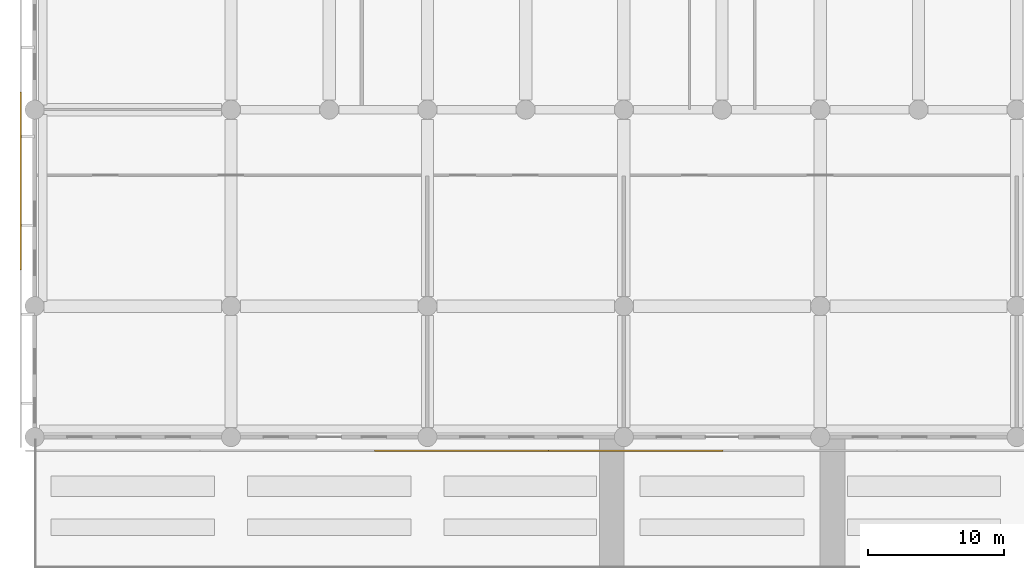
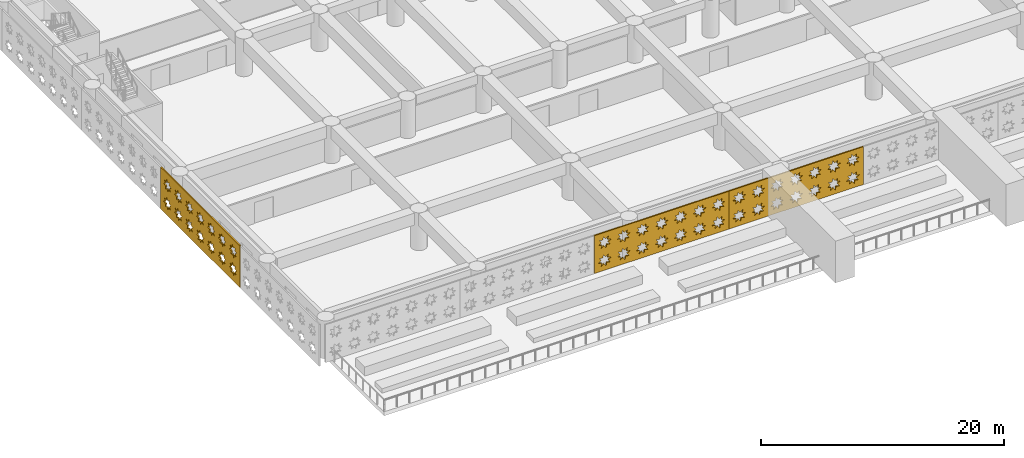
# One storey, part 13 of 24: 3 coverings.
"""IFC4 building model written with IfcOpenShell, lengths in metres."""

from ifc_helpers import new_model, si_unit, direction, frame, origin, place, context, subcontext, project, spatial, polyline, outline, extrude, material, layer, layer_set, type_object, element, save


model = new_model("IFC4")

# Units and contexts
model_context = context("Model", 3, precision=1e-05, world=origin(), true_north=direction((0.0, 1.0)))
body_context = subcontext(model_context, "Body", "Model", "MODEL_VIEW")
ifc_project = project(units=[si_unit("LENGTHUNIT", "METRE"), si_unit("AREAUNIT", "SQUARE_METRE"), si_unit("VOLUMEUNIT", "CUBIC_METRE"), si_unit("PLANEANGLEUNIT", "RADIAN"), si_unit("MASSUNIT", "GRAM", prefix="KILO")], contexts=[model_context])

# Site, building, storey
site_placement = place(None, origin())
site = spatial("IfcSite", under=ifc_project, at=site_placement, CompositionType="ELEMENT")
building_placement = place(site_placement, origin())
building = spatial("IfcBuilding", under=site, at=building_placement, Name="Saffron Iwan Residences", CompositionType="ELEMENT")
storey_placement = place(building_placement, frame((0.0, 0.0, 13.199951171875)))
storey = spatial("IfcBuildingStorey", under=building, at=storey_placement, Name="L02", CompositionType="ELEMENT", Elevation=13.199951171875)

# Coverings
ifc_material = material(Name="Terracotta screen, precast concrete C40/50", Category="masonry")
ifc_layer = layer(ifc_material, 0.1201171875)
ifc_layer_set = layer_set([ifc_layer], Name="Terracotta screen, precast concrete C40/50")
covering_type = type_object("IfcCoveringType", Name="PODIUM SCREEN GIRIH", PredefinedType="CLADDING", material=ifc_layer_set)
covering_1_placement = place(storey_placement, frame((24.905029296875, 8.64990234375, 0.0), z_axis=(0.0, -1.0, 0.0), x_axis=(1.0, 0.0, 0.0)))
element("IfcCovering", 1, at=covering_1_placement, inside=storey, type_object=covering_type, Name="SCREEN girih terracotta L02 F0.2", PredefinedType="CLADDING", context=body_context, shape_type="SweptSolid", body=[
    extrude(outline(polyline([(0.0, 0.0), (12.777587890625, 0.0), (12.777587890625, 3.800048828125), (0.0, 3.800048828125), (0.0, 0.0)]), holes=[polyline([(1.5966796875, 1.12109375), (1.271484375, 1.18896484375), (1.333251953125, 1.515380859375), (1.05517578125, 1.33349609375), (0.867919921875, 1.608154296875), (0.7998046875, 1.28271484375), (0.47314453125, 1.344482421875), (0.6552734375, 1.06640625), (0.380615234375, 0.87890625), (0.7060546875, 0.81103515625), (0.644287109375, 0.484619140625), (0.92236328125, 0.66650390625), (1.109619140625, 0.391845703125), (1.177490234375, 0.71728515625), (1.50439453125, 0.655517578125), (1.322265625, 0.93359375), (1.5966796875, 1.12109375)]), polyline([(1.5966796875, 2.9208984375), (1.271484375, 2.989013671875), (1.333251953125, 3.3154296875), (1.05517578125, 3.133544921875), (0.867919921875, 3.408203125), (0.7998046875, 3.082763671875), (0.47314453125, 3.14453125), (0.6552734375, 2.8662109375), (0.380615234375, 2.678955078125), (0.7060546875, 2.611083984375), (0.644287109375, 2.284423828125), (0.92236328125, 2.466552734375), (1.109619140625, 2.19189453125), (1.177490234375, 2.517333984375), (1.50439453125, 2.45556640625), (1.322265625, 2.733642578125), (1.5966796875, 2.9208984375)]), polyline([(3.396728515625, 1.12109375), (3.0712890625, 1.18896484375), (3.13330078125, 1.515380859375), (2.85498046875, 1.33349609375), (2.667724609375, 1.608154296875), (2.599853515625, 1.28271484375), (2.273193359375, 1.344482421875), (2.455322265625, 1.06640625), (2.1806640625, 0.87890625), (2.506103515625, 0.81103515625), (2.4443359375, 0.484619140625), (2.722412109375, 0.66650390625), (2.90966796875, 0.391845703125), (2.9775390625, 0.71728515625), (3.30419921875, 0.655517578125), (3.122314453125, 0.93359375), (3.396728515625, 1.12109375)]), polyline([(3.396728515625, 2.9208984375), (3.0712890625, 2.989013671875), (3.13330078125, 3.3154296875), (2.85498046875, 3.133544921875), (2.667724609375, 3.408203125), (2.599853515625, 3.082763671875), (2.273193359375, 3.14453125), (2.455322265625, 2.8662109375), (2.1806640625, 2.678955078125), (2.506103515625, 2.611083984375), (2.4443359375, 2.284423828125), (2.722412109375, 2.466552734375), (2.90966796875, 2.19189453125), (2.9775390625, 2.517333984375), (3.30419921875, 2.45556640625), (3.122314453125, 2.733642578125), (3.396728515625, 2.9208984375)]), polyline([(5.19677734375, 1.12109375), (4.871337890625, 1.18896484375), (4.93310546875, 1.515380859375), (4.655029296875, 1.33349609375), (4.4677734375, 1.608154296875), (4.39990234375, 1.28271484375), (4.0732421875, 1.344482421875), (4.25537109375, 1.06640625), (3.980712890625, 0.87890625), (4.30615234375, 0.81103515625), (4.244384765625, 0.484619140625), (4.5224609375, 0.66650390625), (4.709716796875, 0.391845703125), (4.777587890625, 0.71728515625), (5.104248046875, 0.655517578125), (4.922119140625, 0.93359375), (5.19677734375, 1.12109375)]), polyline([(5.19677734375, 2.9208984375), (4.871337890625, 2.989013671875), (4.93310546875, 3.3154296875), (4.655029296875, 3.133544921875), (4.4677734375, 3.408203125), (4.39990234375, 3.082763671875), (4.0732421875, 3.14453125), (4.25537109375, 2.8662109375), (3.980712890625, 2.678955078125), (4.30615234375, 2.611083984375), (4.244384765625, 2.284423828125), (4.5224609375, 2.466552734375), (4.709716796875, 2.19189453125), (4.777587890625, 2.517333984375), (5.104248046875, 2.45556640625), (4.922119140625, 2.733642578125), (5.19677734375, 2.9208984375)]), polyline([(6.996826171875, 1.12109375), (6.67138671875, 1.18896484375), (6.733154296875, 1.515380859375), (6.455078125, 1.33349609375), (6.267822265625, 1.608154296875), (6.199951171875, 1.28271484375), (5.873291015625, 1.344482421875), (6.055419921875, 1.06640625), (5.78076171875, 0.87890625), (6.106201171875, 0.81103515625), (6.044189453125, 0.484619140625), (6.322509765625, 0.66650390625), (6.509765625, 0.391845703125), (6.57763671875, 0.71728515625), (6.904296875, 0.655517578125), (6.72216796875, 0.93359375), (6.996826171875, 1.12109375)]), polyline([(6.996826171875, 2.9208984375), (6.67138671875, 2.989013671875), (6.733154296875, 3.3154296875), (6.455078125, 3.133544921875), (6.267822265625, 3.408203125), (6.199951171875, 3.082763671875), (5.873291015625, 3.14453125), (6.055419921875, 2.8662109375), (5.78076171875, 2.678955078125), (6.106201171875, 2.611083984375), (6.044189453125, 2.284423828125), (6.322509765625, 2.466552734375), (6.509765625, 2.19189453125), (6.57763671875, 2.517333984375), (6.904296875, 2.45556640625), (6.72216796875, 2.733642578125), (6.996826171875, 2.9208984375)]), polyline([(8.796875, 1.12109375), (8.471435546875, 1.18896484375), (8.533203125, 1.515380859375), (8.255126953125, 1.33349609375), (8.06787109375, 1.608154296875), (8.0, 1.28271484375), (7.673095703125, 1.344482421875), (7.855224609375, 1.06640625), (7.580810546875, 0.87890625), (7.906005859375, 0.81103515625), (7.84423828125, 0.484619140625), (8.122314453125, 0.66650390625), (8.309814453125, 0.391845703125), (8.377685546875, 0.71728515625), (8.704345703125, 0.655517578125), (8.522216796875, 0.93359375), (8.796875, 1.12109375)]), polyline([(8.796875, 2.9208984375), (8.471435546875, 2.989013671875), (8.533203125, 3.3154296875), (8.255126953125, 3.133544921875), (8.06787109375, 3.408203125), (8.0, 3.082763671875), (7.673095703125, 3.14453125), (7.855224609375, 2.8662109375), (7.580810546875, 2.678955078125), (7.906005859375, 2.611083984375), (7.84423828125, 2.284423828125), (8.122314453125, 2.466552734375), (8.309814453125, 2.19189453125), (8.377685546875, 2.517333984375), (8.704345703125, 2.45556640625), (8.522216796875, 2.733642578125), (8.796875, 2.9208984375)]), polyline([(10.5966796875, 1.12109375), (10.271484375, 1.18896484375), (10.333251953125, 1.515380859375), (10.05517578125, 1.33349609375), (9.867919921875, 1.608154296875), (9.7998046875, 1.28271484375), (9.47314453125, 1.344482421875), (9.6552734375, 1.06640625), (9.380615234375, 0.87890625), (9.7060546875, 0.81103515625), (9.644287109375, 0.484619140625), (9.92236328125, 0.66650390625), (10.109619140625, 0.391845703125), (10.177490234375, 0.71728515625), (10.50439453125, 0.655517578125), (10.322265625, 0.93359375), (10.5966796875, 1.12109375)]), polyline([(10.5966796875, 2.9208984375), (10.271484375, 2.989013671875), (10.333251953125, 3.3154296875), (10.05517578125, 3.133544921875), (9.867919921875, 3.408203125), (9.7998046875, 3.082763671875), (9.47314453125, 3.14453125), (9.6552734375, 2.8662109375), (9.380615234375, 2.678955078125), (9.7060546875, 2.611083984375), (9.644287109375, 2.284423828125), (9.92236328125, 2.466552734375), (10.109619140625, 2.19189453125), (10.177490234375, 2.517333984375), (10.50439453125, 2.45556640625), (10.322265625, 2.733642578125), (10.5966796875, 2.9208984375)]), polyline([(12.396728515625, 1.12109375), (12.0712890625, 1.18896484375), (12.13330078125, 1.515380859375), (11.85498046875, 1.33349609375), (11.667724609375, 1.608154296875), (11.599853515625, 1.28271484375), (11.273193359375, 1.344482421875), (11.455322265625, 1.06640625), (11.1806640625, 0.87890625), (11.506103515625, 0.81103515625), (11.4443359375, 0.484619140625), (11.722412109375, 0.66650390625), (11.90966796875, 0.391845703125), (11.9775390625, 0.71728515625), (12.30419921875, 0.655517578125), (12.122314453125, 0.93359375), (12.396728515625, 1.12109375)]), polyline([(12.396728515625, 2.9208984375), (12.0712890625, 2.989013671875), (12.13330078125, 3.3154296875), (11.85498046875, 3.133544921875), (11.667724609375, 3.408203125), (11.599853515625, 3.082763671875), (11.273193359375, 3.14453125), (11.455322265625, 2.8662109375), (11.1806640625, 2.678955078125), (11.506103515625, 2.611083984375), (11.4443359375, 2.284423828125), (11.722412109375, 2.466552734375), (11.90966796875, 2.19189453125), (11.9775390625, 2.517333984375), (12.30419921875, 2.45556640625), (12.122314453125, 2.733642578125), (12.396728515625, 2.9208984375)])]), origin(), (0.0, 0.0, 1.0), 0.119873046875),
])
covering_2_placement = place(storey_placement, frame((37.6826171875, 8.64990234375, 0.0), z_axis=(0.0, -1.0, 0.0), x_axis=(1.0, 0.0, 0.0)))
element("IfcCovering", 2, at=covering_2_placement, inside=storey, type_object=covering_type, Name="SCREEN girih terracotta L02 F0.3", PredefinedType="CLADDING", context=body_context, shape_type="SweptSolid", body=[
    extrude(outline(polyline([(0.0, 0.0), (12.777587890625, 0.0), (12.777587890625, 3.800048828125), (0.0, 3.800048828125), (0.0, 0.0)]), holes=[polyline([(1.5966796875, 1.12109375), (1.271484375, 1.18896484375), (1.333251953125, 1.515380859375), (1.05517578125, 1.33349609375), (0.867919921875, 1.608154296875), (0.7998046875, 1.28271484375), (0.47314453125, 1.344482421875), (0.6552734375, 1.06640625), (0.380615234375, 0.87890625), (0.7060546875, 0.81103515625), (0.644287109375, 0.484619140625), (0.92236328125, 0.66650390625), (1.109619140625, 0.391845703125), (1.177490234375, 0.71728515625), (1.50439453125, 0.655517578125), (1.322265625, 0.93359375), (1.5966796875, 1.12109375)]), polyline([(1.5966796875, 2.9208984375), (1.271484375, 2.989013671875), (1.333251953125, 3.3154296875), (1.05517578125, 3.133544921875), (0.867919921875, 3.408203125), (0.7998046875, 3.082763671875), (0.47314453125, 3.14453125), (0.6552734375, 2.8662109375), (0.380615234375, 2.678955078125), (0.7060546875, 2.611083984375), (0.644287109375, 2.284423828125), (0.92236328125, 2.466552734375), (1.109619140625, 2.19189453125), (1.177490234375, 2.517333984375), (1.50439453125, 2.45556640625), (1.322265625, 2.733642578125), (1.5966796875, 2.9208984375)]), polyline([(3.396728515625, 1.12109375), (3.0712890625, 1.18896484375), (3.13330078125, 1.515380859375), (2.85498046875, 1.33349609375), (2.667724609375, 1.608154296875), (2.599853515625, 1.28271484375), (2.273193359375, 1.344482421875), (2.455322265625, 1.06640625), (2.1806640625, 0.87890625), (2.506103515625, 0.81103515625), (2.4443359375, 0.484619140625), (2.722412109375, 0.66650390625), (2.90966796875, 0.391845703125), (2.9775390625, 0.71728515625), (3.30419921875, 0.655517578125), (3.122314453125, 0.93359375), (3.396728515625, 1.12109375)]), polyline([(3.396728515625, 2.9208984375), (3.0712890625, 2.989013671875), (3.13330078125, 3.3154296875), (2.85498046875, 3.133544921875), (2.667724609375, 3.408203125), (2.599853515625, 3.082763671875), (2.273193359375, 3.14453125), (2.455322265625, 2.8662109375), (2.1806640625, 2.678955078125), (2.506103515625, 2.611083984375), (2.4443359375, 2.284423828125), (2.722412109375, 2.466552734375), (2.90966796875, 2.19189453125), (2.9775390625, 2.517333984375), (3.30419921875, 2.45556640625), (3.122314453125, 2.733642578125), (3.396728515625, 2.9208984375)]), polyline([(5.19677734375, 1.12109375), (4.871337890625, 1.18896484375), (4.93310546875, 1.515380859375), (4.655029296875, 1.33349609375), (4.4677734375, 1.608154296875), (4.39990234375, 1.28271484375), (4.0732421875, 1.344482421875), (4.25537109375, 1.06640625), (3.980712890625, 0.87890625), (4.30615234375, 0.81103515625), (4.244384765625, 0.484619140625), (4.5224609375, 0.66650390625), (4.709716796875, 0.391845703125), (4.777587890625, 0.71728515625), (5.104248046875, 0.655517578125), (4.922119140625, 0.93359375), (5.19677734375, 1.12109375)]), polyline([(5.19677734375, 2.9208984375), (4.871337890625, 2.989013671875), (4.93310546875, 3.3154296875), (4.655029296875, 3.133544921875), (4.4677734375, 3.408203125), (4.39990234375, 3.082763671875), (4.0732421875, 3.14453125), (4.25537109375, 2.8662109375), (3.980712890625, 2.678955078125), (4.30615234375, 2.611083984375), (4.244384765625, 2.284423828125), (4.5224609375, 2.466552734375), (4.709716796875, 2.19189453125), (4.777587890625, 2.517333984375), (5.104248046875, 2.45556640625), (4.922119140625, 2.733642578125), (5.19677734375, 2.9208984375)]), polyline([(6.996826171875, 1.12109375), (6.67138671875, 1.18896484375), (6.733154296875, 1.515380859375), (6.455078125, 1.33349609375), (6.267822265625, 1.608154296875), (6.199951171875, 1.28271484375), (5.873291015625, 1.344482421875), (6.055419921875, 1.06640625), (5.78076171875, 0.87890625), (6.106201171875, 0.81103515625), (6.044189453125, 0.484619140625), (6.322509765625, 0.66650390625), (6.509765625, 0.391845703125), (6.57763671875, 0.71728515625), (6.904296875, 0.655517578125), (6.72216796875, 0.93359375), (6.996826171875, 1.12109375)]), polyline([(6.996826171875, 2.9208984375), (6.67138671875, 2.989013671875), (6.733154296875, 3.3154296875), (6.455078125, 3.133544921875), (6.267822265625, 3.408203125), (6.199951171875, 3.082763671875), (5.873291015625, 3.14453125), (6.055419921875, 2.8662109375), (5.78076171875, 2.678955078125), (6.106201171875, 2.611083984375), (6.044189453125, 2.284423828125), (6.322509765625, 2.466552734375), (6.509765625, 2.19189453125), (6.57763671875, 2.517333984375), (6.904296875, 2.45556640625), (6.72216796875, 2.733642578125), (6.996826171875, 2.9208984375)]), polyline([(8.796875, 1.12109375), (8.471435546875, 1.18896484375), (8.533203125, 1.515380859375), (8.255126953125, 1.33349609375), (8.06787109375, 1.608154296875), (8.0, 1.28271484375), (7.673095703125, 1.344482421875), (7.855224609375, 1.06640625), (7.580810546875, 0.87890625), (7.906005859375, 0.81103515625), (7.84423828125, 0.484619140625), (8.122314453125, 0.66650390625), (8.309814453125, 0.391845703125), (8.377685546875, 0.71728515625), (8.704345703125, 0.655517578125), (8.522216796875, 0.93359375), (8.796875, 1.12109375)]), polyline([(8.796875, 2.9208984375), (8.471435546875, 2.989013671875), (8.533203125, 3.3154296875), (8.255126953125, 3.133544921875), (8.06787109375, 3.408203125), (8.0, 3.082763671875), (7.673095703125, 3.14453125), (7.855224609375, 2.8662109375), (7.580810546875, 2.678955078125), (7.906005859375, 2.611083984375), (7.84423828125, 2.284423828125), (8.122314453125, 2.466552734375), (8.309814453125, 2.19189453125), (8.377685546875, 2.517333984375), (8.704345703125, 2.45556640625), (8.522216796875, 2.733642578125), (8.796875, 2.9208984375)]), polyline([(10.5966796875, 1.12109375), (10.271484375, 1.18896484375), (10.333251953125, 1.515380859375), (10.05517578125, 1.33349609375), (9.867919921875, 1.608154296875), (9.7998046875, 1.28271484375), (9.47314453125, 1.344482421875), (9.6552734375, 1.06640625), (9.380615234375, 0.87890625), (9.7060546875, 0.81103515625), (9.644287109375, 0.484619140625), (9.92236328125, 0.66650390625), (10.109619140625, 0.391845703125), (10.177490234375, 0.71728515625), (10.50439453125, 0.655517578125), (10.322265625, 0.93359375), (10.5966796875, 1.12109375)]), polyline([(10.5966796875, 2.9208984375), (10.271484375, 2.989013671875), (10.333251953125, 3.3154296875), (10.05517578125, 3.133544921875), (9.867919921875, 3.408203125), (9.7998046875, 3.082763671875), (9.47314453125, 3.14453125), (9.6552734375, 2.8662109375), (9.380615234375, 2.678955078125), (9.7060546875, 2.611083984375), (9.644287109375, 2.284423828125), (9.92236328125, 2.466552734375), (10.109619140625, 2.19189453125), (10.177490234375, 2.517333984375), (10.50439453125, 2.45556640625), (10.322265625, 2.733642578125), (10.5966796875, 2.9208984375)]), polyline([(12.396728515625, 1.12109375), (12.0712890625, 1.18896484375), (12.13330078125, 1.515380859375), (11.85498046875, 1.33349609375), (11.667724609375, 1.608154296875), (11.599853515625, 1.28271484375), (11.273193359375, 1.344482421875), (11.455322265625, 1.06640625), (11.1806640625, 0.87890625), (11.506103515625, 0.81103515625), (11.4443359375, 0.484619140625), (11.722412109375, 0.66650390625), (11.90966796875, 0.391845703125), (11.9775390625, 0.71728515625), (12.30419921875, 0.655517578125), (12.122314453125, 0.93359375), (12.396728515625, 1.12109375)]), polyline([(12.396728515625, 2.9208984375), (12.0712890625, 2.989013671875), (12.13330078125, 3.3154296875), (11.85498046875, 3.133544921875), (11.667724609375, 3.408203125), (11.599853515625, 3.082763671875), (11.273193359375, 3.14453125), (11.455322265625, 2.8662109375), (11.1806640625, 2.678955078125), (11.506103515625, 2.611083984375), (11.4443359375, 2.284423828125), (11.722412109375, 2.466552734375), (11.90966796875, 2.19189453125), (11.9775390625, 2.517333984375), (12.30419921875, 2.45556640625), (12.122314453125, 2.733642578125), (12.396728515625, 2.9208984375)])]), origin(), (0.0, 0.0, 1.0), 0.119873046875),
])
covering_3_placement = place(storey_placement, frame((-0.949951171875, 34.9033203125, -0.39990234375), z_axis=(-1.0, 0.0, 0.0), x_axis=(0.0, -1.0, 0.0)))
element("IfcCovering", 3, at=covering_3_placement, inside=storey, type_object=covering_type, Name="SCREEN girih terracotta L02 F3.4", PredefinedType="CLADDING", context=body_context, shape_type="SweptSolid", body=[
    extrude(outline(polyline([(0.0, 0.0), (13.03662109375, 0.0), (13.03662109375, 4.199951171875), (0.0, 4.199951171875), (0.0, 0.0)]), holes=[polyline([(1.726318359375, 1.321044921875), (1.40087890625, 1.388916015625), (1.462890625, 1.715576171875), (1.184814453125, 1.533447265625), (0.997314453125, 1.80810546875), (0.929443359375, 1.482666015625), (0.602783203125, 1.54443359375), (0.784912109375, 1.266357421875), (0.51025390625, 1.0791015625), (0.835693359375, 1.010986328125), (0.77392578125, 0.6845703125), (1.052001953125, 0.866455078125), (1.2392578125, 0.591796875), (1.30712890625, 0.917236328125), (1.6337890625, 0.85546875), (1.451904296875, 1.1337890625), (1.726318359375, 1.321044921875)]), polyline([(1.726318359375, 3.12109375), (1.40087890625, 3.18896484375), (1.462890625, 3.515380859375), (1.184814453125, 3.33349609375), (0.997314453125, 3.608154296875), (0.929443359375, 3.28271484375), (0.602783203125, 3.344482421875), (0.784912109375, 3.06640625), (0.51025390625, 2.87890625), (0.835693359375, 2.81103515625), (0.77392578125, 2.484619140625), (1.052001953125, 2.66650390625), (1.2392578125, 2.391845703125), (1.30712890625, 2.71728515625), (1.6337890625, 2.655517578125), (1.451904296875, 2.93359375), (1.726318359375, 3.12109375)]), polyline([(3.5263671875, 1.321044921875), (3.200927734375, 1.388916015625), (3.2626953125, 1.715576171875), (2.984619140625, 1.533447265625), (2.79736328125, 1.80810546875), (2.7294921875, 1.482666015625), (2.40283203125, 1.54443359375), (2.5849609375, 1.266357421875), (2.310302734375, 1.0791015625), (2.635498046875, 1.010986328125), (2.573974609375, 0.6845703125), (2.85205078125, 0.866455078125), (3.039306640625, 0.591796875), (3.107177734375, 0.917236328125), (3.433837890625, 0.85546875), (3.251708984375, 1.1337890625), (3.5263671875, 1.321044921875)]), polyline([(3.5263671875, 3.12109375), (3.200927734375, 3.18896484375), (3.2626953125, 3.515380859375), (2.984619140625, 3.33349609375), (2.79736328125, 3.608154296875), (2.7294921875, 3.28271484375), (2.40283203125, 3.344482421875), (2.5849609375, 3.06640625), (2.310302734375, 2.87890625), (2.635498046875, 2.81103515625), (2.573974609375, 2.484619140625), (2.85205078125, 2.66650390625), (3.039306640625, 2.391845703125), (3.107177734375, 2.71728515625), (3.433837890625, 2.655517578125), (3.251708984375, 2.93359375), (3.5263671875, 3.12109375)]), polyline([(5.326416015625, 1.321044921875), (5.0009765625, 1.388916015625), (5.062744140625, 1.715576171875), (4.78466796875, 1.533447265625), (4.597412109375, 1.80810546875), (4.529296875, 1.482666015625), (4.202880859375, 1.54443359375), (4.385009765625, 1.266357421875), (4.110107421875, 1.0791015625), (4.435546875, 1.010986328125), (4.373779296875, 0.6845703125), (4.652099609375, 0.866455078125), (4.83935546875, 0.591796875), (4.9072265625, 0.917236328125), (5.23388671875, 0.85546875), (5.0517578125, 1.1337890625), (5.326416015625, 1.321044921875)]), polyline([(5.326416015625, 3.12109375), (5.0009765625, 3.18896484375), (5.062744140625, 3.515380859375), (4.78466796875, 3.33349609375), (4.597412109375, 3.608154296875), (4.529296875, 3.28271484375), (4.202880859375, 3.344482421875), (4.385009765625, 3.06640625), (4.110107421875, 2.87890625), (4.435546875, 2.81103515625), (4.373779296875, 2.484619140625), (4.652099609375, 2.66650390625), (4.83935546875, 2.391845703125), (4.9072265625, 2.71728515625), (5.23388671875, 2.655517578125), (5.0517578125, 2.93359375), (5.326416015625, 3.12109375)]), polyline([(7.12646484375, 1.321044921875), (6.801025390625, 1.388916015625), (6.86279296875, 1.715576171875), (6.584716796875, 1.533447265625), (6.3974609375, 1.80810546875), (6.329345703125, 1.482666015625), (6.002685546875, 1.54443359375), (6.184814453125, 1.266357421875), (5.91015625, 1.0791015625), (6.235595703125, 1.010986328125), (6.173828125, 0.6845703125), (6.451904296875, 0.866455078125), (6.639404296875, 0.591796875), (6.707275390625, 0.917236328125), (7.03369140625, 0.85546875), (6.851806640625, 1.1337890625), (7.12646484375, 1.321044921875)]), polyline([(7.12646484375, 3.12109375), (6.801025390625, 3.18896484375), (6.86279296875, 3.515380859375), (6.584716796875, 3.33349609375), (6.3974609375, 3.608154296875), (6.329345703125, 3.28271484375), (6.002685546875, 3.344482421875), (6.184814453125, 3.06640625), (5.91015625, 2.87890625), (6.235595703125, 2.81103515625), (6.173828125, 2.484619140625), (6.451904296875, 2.66650390625), (6.639404296875, 2.391845703125), (6.707275390625, 2.71728515625), (7.03369140625, 2.655517578125), (6.851806640625, 2.93359375), (7.12646484375, 3.12109375)]), polyline([(8.926513671875, 1.321044921875), (8.60107421875, 1.388916015625), (8.662841796875, 1.715576171875), (8.384765625, 1.533447265625), (8.197509765625, 1.80810546875), (8.12939453125, 1.482666015625), (7.802734375, 1.54443359375), (7.98486328125, 1.266357421875), (7.710205078125, 1.0791015625), (8.03564453125, 1.010986328125), (7.973876953125, 0.6845703125), (8.251953125, 0.866455078125), (8.439208984375, 0.591796875), (8.507080078125, 0.917236328125), (8.833740234375, 0.85546875), (8.65185546875, 1.1337890625), (8.926513671875, 1.321044921875)]), polyline([(8.926513671875, 3.12109375), (8.60107421875, 3.18896484375), (8.662841796875, 3.515380859375), (8.384765625, 3.33349609375), (8.197509765625, 3.608154296875), (8.12939453125, 3.28271484375), (7.802734375, 3.344482421875), (7.98486328125, 3.06640625), (7.710205078125, 2.87890625), (8.03564453125, 2.81103515625), (7.973876953125, 2.484619140625), (8.251953125, 2.66650390625), (8.439208984375, 2.391845703125), (8.507080078125, 2.71728515625), (8.833740234375, 2.655517578125), (8.65185546875, 2.93359375), (8.926513671875, 3.12109375)]), polyline([(10.726318359375, 1.321044921875), (10.40087890625, 1.388916015625), (10.462890625, 1.715576171875), (10.184814453125, 1.533447265625), (9.997314453125, 1.80810546875), (9.929443359375, 1.482666015625), (9.602783203125, 1.54443359375), (9.784912109375, 1.266357421875), (9.51025390625, 1.0791015625), (9.835693359375, 1.010986328125), (9.77392578125, 0.6845703125), (10.052001953125, 0.866455078125), (10.2392578125, 0.591796875), (10.30712890625, 0.917236328125), (10.6337890625, 0.85546875), (10.451904296875, 1.1337890625), (10.726318359375, 1.321044921875)]), polyline([(10.726318359375, 3.12109375), (10.40087890625, 3.18896484375), (10.462890625, 3.515380859375), (10.184814453125, 3.33349609375), (9.997314453125, 3.608154296875), (9.929443359375, 3.28271484375), (9.602783203125, 3.344482421875), (9.784912109375, 3.06640625), (9.51025390625, 2.87890625), (9.835693359375, 2.81103515625), (9.77392578125, 2.484619140625), (10.052001953125, 2.66650390625), (10.2392578125, 2.391845703125), (10.30712890625, 2.71728515625), (10.6337890625, 2.655517578125), (10.451904296875, 2.93359375), (10.726318359375, 3.12109375)]), polyline([(12.5263671875, 1.321044921875), (12.200927734375, 1.388916015625), (12.2626953125, 1.715576171875), (11.984619140625, 1.533447265625), (11.79736328125, 1.80810546875), (11.7294921875, 1.482666015625), (11.40283203125, 1.54443359375), (11.5849609375, 1.266357421875), (11.310302734375, 1.0791015625), (11.635498046875, 1.010986328125), (11.573974609375, 0.6845703125), (11.85205078125, 0.866455078125), (12.039306640625, 0.591796875), (12.107177734375, 0.917236328125), (12.433837890625, 0.85546875), (12.251708984375, 1.1337890625), (12.5263671875, 1.321044921875)]), polyline([(12.5263671875, 3.12109375), (12.200927734375, 3.18896484375), (12.2626953125, 3.515380859375), (11.984619140625, 3.33349609375), (11.79736328125, 3.608154296875), (11.7294921875, 3.28271484375), (11.40283203125, 3.344482421875), (11.5849609375, 3.06640625), (11.310302734375, 2.87890625), (11.635498046875, 2.81103515625), (11.573974609375, 2.484619140625), (11.85205078125, 2.66650390625), (12.039306640625, 2.391845703125), (12.107177734375, 2.71728515625), (12.433837890625, 2.655517578125), (12.251708984375, 2.93359375), (12.5263671875, 3.12109375)])]), origin(), (0.0, 0.0, 1.0), 0.1201171875),
])

save(model, "model.ifc")
